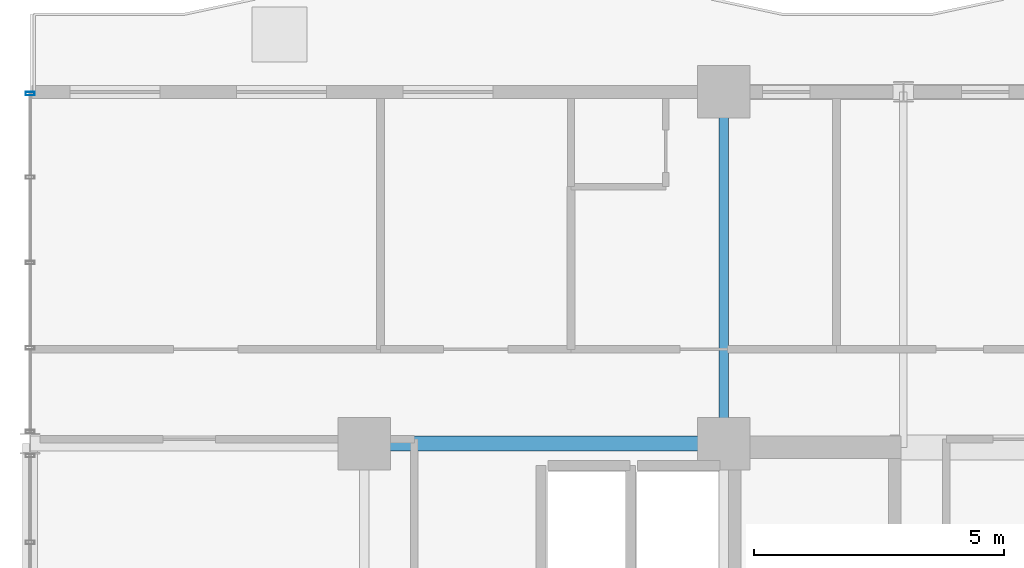
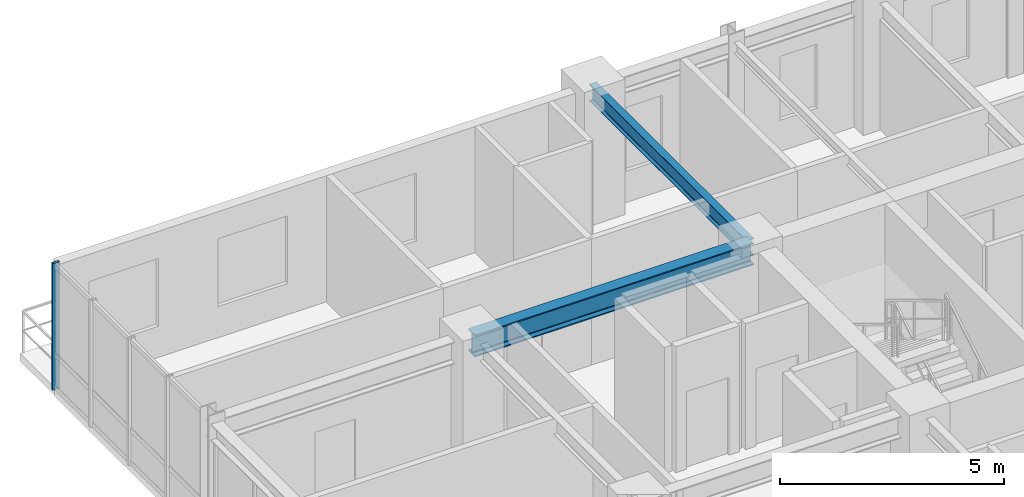
# One storey, part 8 of 19: 2 beams, 1 member, 1 element without a shape of its own.
"""IFC4 building model written with IfcOpenShell, lengths in metres."""

import ifcopenshell
import ifcopenshell.guid

model = None  # the IFC model being written
_history = None  # IfcOwnerHistory: only IFC2X3 demands one
_inside = {}  # id of a spatial element -> (the spatial element, [elements in it])
_under = {}  # id of a project, library or spatial element -> (it, [spatial elements below it])
_declared = {}  # id of a project -> (the project, [libraries it declares])
_typed = {}  # id of a type object -> (the type object, [elements of that type])
_made_of = {}  # id of a material, layer set ... -> (it, [elements and type objects made of it])


def new_model(schema):
    """Start an empty IFC model of exactly this schema.

    Asked for "IFC4X3", IfcOpenShell would pick the latest addendum, in which some entities
    have other attributes; the version numbers below select the first issue.
    IFC2X3 requires an IfcOwnerHistory on every rooted entity: one is made here for all.
    """
    global model, _history
    if schema == "IFC4X3":
        model = ifcopenshell.file(schema_version=(4, 3, 0, 0))
    else:
        model = ifcopenshell.file(schema=schema)
    _inside.clear()
    _under.clear()
    _declared.clear()
    _typed.clear()
    _made_of.clear()
    _history = None
    if model.schema == "IFC2X3":
        org = make("IfcOrganization", Name="unknown")
        user = make(
            "IfcPersonAndOrganization",
            ThePerson=make("IfcPerson", FamilyName="unknown"),
            TheOrganization=org,
        )
        app = make(
            "IfcApplication",
            ApplicationDeveloper=org,
            Version="unknown",
            ApplicationFullName="unknown",
            ApplicationIdentifier="unknown",
        )
        _history = make(
            "IfcOwnerHistory",
            OwningUser=user,
            OwningApplication=app,
            ChangeAction="ADDED",
            CreationDate=0,
        )
    return model


def make(cls, **values):
    """One entity of the class cls with the attributes given. An attribute that is None is left unset."""
    return model.create_entity(
        cls, **{name: value for name, value in values.items() if value is not None}
    )


def rooted(cls, **values):
    """An entity with a GlobalId (a new one), such as an element, a storey or a relation."""
    return make(cls, GlobalId=ifcopenshell.guid.new(), OwnerHistory=_history, **values)


def si_unit(unit_type, name, prefix=None):
    """IfcSIUnit, for example si_unit("LENGTHUNIT", "METRE", prefix="MILLI")."""
    return make("IfcSIUnit", UnitType=unit_type, Prefix=prefix, Name=name)


def assignment(units):
    """IfcUnitAssignment: the units of a project."""
    return None if units is None else make("IfcUnitAssignment", Units=units)


def point(xyz):
    """IfcCartesianPoint."""
    return None if xyz is None else make("IfcCartesianPoint", Coordinates=xyz)


def direction(xyz):
    """IfcDirection."""
    return None if xyz is None else make("IfcDirection", DirectionRatios=xyz)


def frame(location, z_axis=None, x_axis=None):
    """IfcAxis2Placement3D, a coordinate frame: its origin and axes. An axis left out is left unset."""
    return make(
        "IfcAxis2Placement3D",
        Location=point(location),
        Axis=direction(z_axis),
        RefDirection=direction(x_axis),
    )


def frame_2d(location, x_axis=None):
    """IfcAxis2Placement2D, a coordinate frame in the plane: its origin and x axis."""
    return make(
        "IfcAxis2Placement2D", Location=point(location), RefDirection=direction(x_axis)
    )


def origin():
    """The frame at (0, 0, 0) with its axes left unset."""
    return frame((0.0, 0.0, 0.0))


def origin_2d():
    """The frame at (0, 0) in the plane with its x axis left unset."""
    return frame_2d((0.0, 0.0))


def place(relative_to, where):
    """IfcLocalPlacement: puts the frame where relative to a parent placement (None: the world)."""
    return make(
        "IfcLocalPlacement", PlacementRelTo=relative_to, RelativePlacement=where
    )


def context(
    kind, dimensions, precision=None, world=None, true_north=None, identifier=None
):
    """IfcGeometricRepresentationContext, for example the 3D "Model" context."""
    return make(
        "IfcGeometricRepresentationContext",
        ContextIdentifier=identifier,
        ContextType=kind,
        CoordinateSpaceDimension=dimensions,
        Precision=precision,
        WorldCoordinateSystem=world,
        TrueNorth=true_north,
    )


def subcontext(parent, identifier, kind, view, scale=None):
    """IfcGeometricRepresentationSubContext, for example "Body" below "Model"."""
    return make(
        "IfcGeometricRepresentationSubContext",
        ContextIdentifier=identifier,
        ContextType=kind,
        ParentContext=parent,
        TargetScale=scale,
        TargetView=view,
    )


def project(units=None, contexts=None):
    """IfcProject with its units and contexts."""
    return rooted(
        "IfcProject",
        Name="project",
        RepresentationContexts=contexts,
        UnitsInContext=assignment(units),
    )


def spatial(cls, under=None, at=None, **own):
    """A site, building, storey or space (cls), placed at a placement, below another one or the project."""
    s = rooted(cls, ObjectPlacement=at, **own)
    if under is not None:
        _under.setdefault(under.id(), (under, []))[1].append(s)
    return s


def profile(cls, at=None, kind="AREA", **sizes):
    """A parametric profile (cls). Its sizes go by their IFC names, for example OverallWidth=200.0."""
    return make(cls, ProfileType=kind, Position=at, **sizes)


def hollow_rectangle(**sizes):
    """IfcRectangleHollowProfileDef."""
    return profile("IfcRectangleHollowProfileDef", **sizes)


def i_section(**sizes):
    """IfcIShapeProfileDef."""
    return profile("IfcIShapeProfileDef", **sizes)


def extrude(swept, where, along, depth):
    """IfcExtrudedAreaSolid: the profile swept, set in the frame where, extruded along a direction by depth."""
    return make(
        "IfcExtrudedAreaSolid",
        SweptArea=swept,
        Position=where,
        ExtrudedDirection=direction(along),
        Depth=depth,
    )


def shape(context_of_items, identifier, shape_type, items):
    """IfcShapeRepresentation: the items that make up one representation, for example the "Body"."""
    return make(
        "IfcShapeRepresentation",
        ContextOfItems=context_of_items,
        RepresentationIdentifier=identifier,
        RepresentationType=shape_type,
        Items=items,
    )


def source(mapping_origin, context_of_items, identifier, shape_type, items):
    """IfcRepresentationMap: a shape defined once, which mapped items show again and again."""
    return make(
        "IfcRepresentationMap",
        MappingOrigin=mapping_origin,
        MappedRepresentation=shape(context_of_items, identifier, shape_type, items),
    )


def transform(
    local_origin,
    x_axis=None,
    y_axis=None,
    z_axis=None,
    scale=None,
    scale2=None,
    scale3=None,
    uniform=True,
):
    """IfcCartesianTransformationOperator3D, or its non-uniform kind. x_axis, y_axis, z_axis: its Axis1, 2, 3."""
    if uniform:
        return make(
            "IfcCartesianTransformationOperator3D",
            Axis1=direction(x_axis),
            Axis2=direction(y_axis),
            LocalOrigin=point(local_origin),
            Scale=scale,
            Axis3=direction(z_axis),
        )
    return make(
        "IfcCartesianTransformationOperator3DnonUniform",
        Axis1=direction(x_axis),
        Axis2=direction(y_axis),
        LocalOrigin=point(local_origin),
        Scale=scale,
        Axis3=direction(z_axis),
        Scale2=scale2,
        Scale3=scale3,
    )


def mapped(mapping_source, mapping_target):
    """IfcMappedItem: shows the shape of a source again, moved by a transform."""
    return make(
        "IfcMappedItem", MappingSource=mapping_source, MappingTarget=mapping_target
    )


def material(Name=None, Category=None):
    """IfcMaterial."""
    return make("IfcMaterial", Name=Name, Category=Category)


def layer(
    of_material, thickness, ventilated=None, Name=None, Category=None, Priority=None
):
    """IfcMaterialLayer: one layer of a wall or slab, of a material (None: an air gap)."""
    return make(
        "IfcMaterialLayer",
        Material=of_material,
        LayerThickness=thickness,
        IsVentilated=ventilated,
        Name=Name,
        Category=Category,
        Priority=Priority,
    )


def layer_set(layers, Name=None):
    """IfcMaterialLayerSet."""
    return make("IfcMaterialLayerSet", MaterialLayers=layers, LayerSetName=Name)


def material_profile(
    of_material, cross_section, Name=None, Category=None, Priority=None
):
    """IfcMaterialProfile: a cross section and its material."""
    return make(
        "IfcMaterialProfile",
        Name=Name,
        Material=of_material,
        Profile=cross_section,
        Priority=Priority,
        Category=Category,
    )


def profile_set(profiles, Name=None, composite=None):
    """IfcMaterialProfileSet."""
    return make(
        "IfcMaterialProfileSet",
        Name=Name,
        MaterialProfiles=profiles,
        CompositeProfile=composite,
    )


def made_of(thing, what):
    """Note that an element or type object is made of a material, layer set ...; save() writes the relation."""
    if what is not None:
        _made_of.setdefault(what.id(), (what, []))[1].append(thing)
    return thing


def type_object(cls, material=None, **own):
    """A type object (cls), such as IfcWallType, which elements share."""
    return made_of(rooted(cls, **own), material)


def element(
    cls,
    number,
    at=None,
    inside=None,
    cuts=None,
    type_object=None,
    material=None,
    context=None,
    identifier="Body",
    shape_type=None,
    held_by="IfcProductDefinitionShape",
    body=None,
    shapes=None,
    **own,
):
    """One element of the class cls, such as IfcWall. Its Tag is "e" and its number.

    at: its placement. inside: the storey or other place that contains it. cuts: it is an
    opening in that element (IfcRelVoidsElement). A single representation is given by context,
    identifier, shape_type and body (its items); several are given by shapes. held_by: the class
    of the entity that holds the representations. save() writes the other relations.
    """
    e = rooted(cls, Tag="e%d" % number, ObjectPlacement=at, **own)
    if body is not None:
        shapes = [shape(context, identifier, shape_type, body)]
    if shapes is not None:
        e.Representation = make(held_by, Representations=shapes)
    if inside is not None:
        _inside.setdefault(inside.id(), (inside, []))[1].append(e)
    if cuts is not None:
        rooted(
            "IfcRelVoidsElement", RelatingBuildingElement=cuts, RelatedOpeningElement=e
        )
    if type_object is not None:
        _typed.setdefault(type_object.id(), (type_object, []))[1].append(e)
    return made_of(e, material)


def aggregate(whole, parts):
    """IfcRelAggregates: a whole, such as a stair, and the parts it consists of."""
    return rooted("IfcRelAggregates", RelatingObject=whole, RelatedObjects=parts)


def save(model, path):
    """Write the relations noted so far, then the file.

    IfcRelAggregates (storeys below a building ...), IfcRelContainedInSpatialStructure (elements
    in a storey), IfcRelDefinesByType, IfcRelAssociatesMaterial and IfcRelDeclares: one each for
    every whole, place, type object, material and project.
    """
    for whole, parts in _under.values():
        aggregate(whole, parts)
    for where, things in _inside.values():
        rooted(
            "IfcRelContainedInSpatialStructure",
            RelatedElements=things,
            RelatingStructure=where,
        )
    for kind, things in _typed.values():
        rooted("IfcRelDefinesByType", RelatedObjects=things, RelatingType=kind)
    for what, things in _made_of.values():
        rooted("IfcRelAssociatesMaterial", RelatedObjects=things, RelatingMaterial=what)
    for by, libraries in _declared.values():
        rooted("IfcRelDeclares", RelatingContext=by, RelatedDefinitions=libraries)
    model.write(path)


model = new_model("IFC4")

# Units and contexts
model_context = context("Model", 3, precision=1e-05, world=origin(), true_north=direction((0.0, 1.0)))
body_context = subcontext(model_context, "Body", "Model", "MODEL_VIEW")
ifc_project = project(units=[si_unit("LENGTHUNIT", "METRE"), si_unit("AREAUNIT", "SQUARE_METRE"), si_unit("VOLUMEUNIT", "CUBIC_METRE"), si_unit("PLANEANGLEUNIT", "RADIAN"), si_unit("MASSUNIT", "GRAM", prefix="KILO")], contexts=[model_context])

# Site, building, storey
site_placement = place(None, origin())
site = spatial("IfcSite", under=ifc_project, at=site_placement, CompositionType="ELEMENT")
building_placement = place(site_placement, origin())
building = spatial("IfcBuilding", under=site, at=building_placement, Name="Kaliganga Portal Commons", CompositionType="ELEMENT")
storey_placement = place(building_placement, frame((0.0, 0.0, 184.60009765625)))
storey = spatial("IfcBuildingStorey", under=building, at=storey_placement, Name="L47", CompositionType="ELEMENT", Elevation=184.60009765625)

# Beams
ifc_material_1 = material(Name="Structural steel S355J2", Category="steel")
ifc_material_profile_1 = material_profile(ifc_material_1, i_section(OverallWidth=0.300048828125, OverallDepth=0.60009765625, WebThickness=0.015380859375, FlangeThickness=0.030029296875, FilletRadius=0.027099609375, at=origin_2d()), Name="HE 600 B")
ifc_profile_set_1 = profile_set([ifc_material_profile_1], Name="Structural steel S355J2 wide-flange")
beam_type_1 = type_object("IfcBeamType", Name="BM-GIRD-600", PredefinedType="USERDEFINED", material=ifc_profile_set_1)
shared_shape_1 = source(origin(), body_context, "Body", "SweptSolid", [
    extrude(i_section(OverallWidth=0.300048828125, OverallDepth=0.60009765625, WebThickness=0.015380859375, FlangeThickness=0.030029296875, FilletRadius=0.027099609375, at=origin_2d()), origin(), (0.0, 0.0, 1.0), 7.199951171875),
])
beam_1_placement = place(storey_placement, frame((7.199951171875, 36.14990234375, 3.159912109375), z_axis=(1.0, 0.0, 0.0), x_axis=(0.0, 1.0, 0.0)))
element("IfcBeam", 1, at=beam_1_placement, inside=storey, type_object=beam_type_1, Name="BM G L47 WAH_N 2", ObjectType="GIRDER", PredefinedType="USERDEFINED", context=body_context, shape_type="MappedRepresentation", body=[
    mapped(shared_shape_1, transform((0.0, 0.0, 0.0), x_axis=(1.0, 0.0, 0.0), y_axis=(0.0, 1.0, 0.0), z_axis=(0.0, 0.0, 1.0), scale=1.0)),
])
ifc_material_profile_2 = material_profile(ifc_material_1, i_section(OverallWidth=0.18994140625, OverallDepth=0.449951171875, WebThickness=0.009521484375, FlangeThickness=0.0146484375, FilletRadius=0.02099609375, at=origin_2d()), Name="IPE 450")
ifc_profile_set_2 = profile_set([ifc_material_profile_2], Name="Structural steel S355J2 wide-flange")
beam_type_2 = type_object("IfcBeamType", Name="BM-FLR-450", PredefinedType="BEAM", material=ifc_profile_set_2)
shared_shape_2 = source(origin(), body_context, "Body", "SweptSolid", [
    extrude(i_section(OverallWidth=0.18994140625, OverallDepth=0.449951171875, WebThickness=0.009521484375, FlangeThickness=0.0146484375, FilletRadius=0.02099609375, at=origin_2d()), origin(), (0.0, 0.0, 1.0), 7.050048828125),
])
beam_2_placement = place(storey_placement, frame((14.39990234375, 36.14990234375, 3.23486328125), z_axis=(0.0, 1.0, 0.0), x_axis=(-1.0, 0.0, 0.0)))
element("IfcBeam", 2, at=beam_2_placement, inside=storey, type_object=beam_type_2, Name="BM G L47 AN144", PredefinedType="BEAM", context=body_context, shape_type="MappedRepresentation", body=[
    mapped(shared_shape_2, transform((0.0, 0.0, 0.0), x_axis=(1.0, 0.0, 0.0), y_axis=(0.0, 1.0, 0.0), z_axis=(0.0, 0.0, 1.0), scale=1.0)),
])

# Curtain wall, member
ifc_material_2 = material(Name="Anodized Aluminium and Laminated Low-E Glass", Category="aluminium")
ifc_layer = layer(ifc_material_2, 0.199951171875)
ifc_layer_set = layer_set([ifc_layer], Name="Anodized Aluminium and Laminated Low-E Glass")
curtain_wall_type = type_object("IfcCurtainWallType", Name="CW-SYS-02", PredefinedType="NOTDEFINED", material=ifc_layer_set)
curtain_wall_placement = place(storey_placement, origin())
curtain_wall = element("IfcCurtainWall", 3, at=curtain_wall_placement, inside=storey, type_object=curtain_wall_type, Name="CW 02 L47 P1E03S1", PredefinedType="NOTDEFINED")
ifc_material_3 = material(Name="Dark Bronze Anodized Aluminium", Category="aluminium")
ifc_material_profile_3 = material_profile(ifc_material_3, hollow_rectangle(XDim=0.06494140625, YDim=0.179931640625, WallThickness=0.00390625, at=origin_2d()), Name="ALU MULL 65x180x4")
ifc_profile_set_3 = profile_set([ifc_material_profile_3], Name="Dark Bronze Anodized Aluminium")
member_type = type_object("IfcMemberType", Name="CW-MUL-180", PredefinedType="MULLION", material=ifc_profile_set_3)
shared_shape_3 = source(origin(), body_context, "Body", "SweptSolid", [
    extrude(hollow_rectangle(XDim=0.06494140625, YDim=0.179931640625, WallThickness=0.00390625, at=origin_2d()), origin(), (0.0, 0.0, 1.0), 3.4599609375),
])
member_placement = place(storey_placement, frame((0.5, 43.1650390625, 0.0), z_axis=(0.0, 0.0, 1.0), x_axis=(0.0, -1.0, 0.0)))
member = element("IfcMember", 4, at=member_placement, type_object=member_type, Name="CW:02:L47:P1E03S1 Mullion 00", PredefinedType="MULLION", context=body_context, shape_type="MappedRepresentation", body=[
    mapped(shared_shape_3, transform((0.0, 0.0, 0.0), x_axis=(1.0, 0.0, 0.0), y_axis=(0.0, 1.0, 0.0), z_axis=(0.0, 0.0, 1.0), scale=1.0)),
])
aggregate(curtain_wall, [member])

save(model, "model.ifc")
